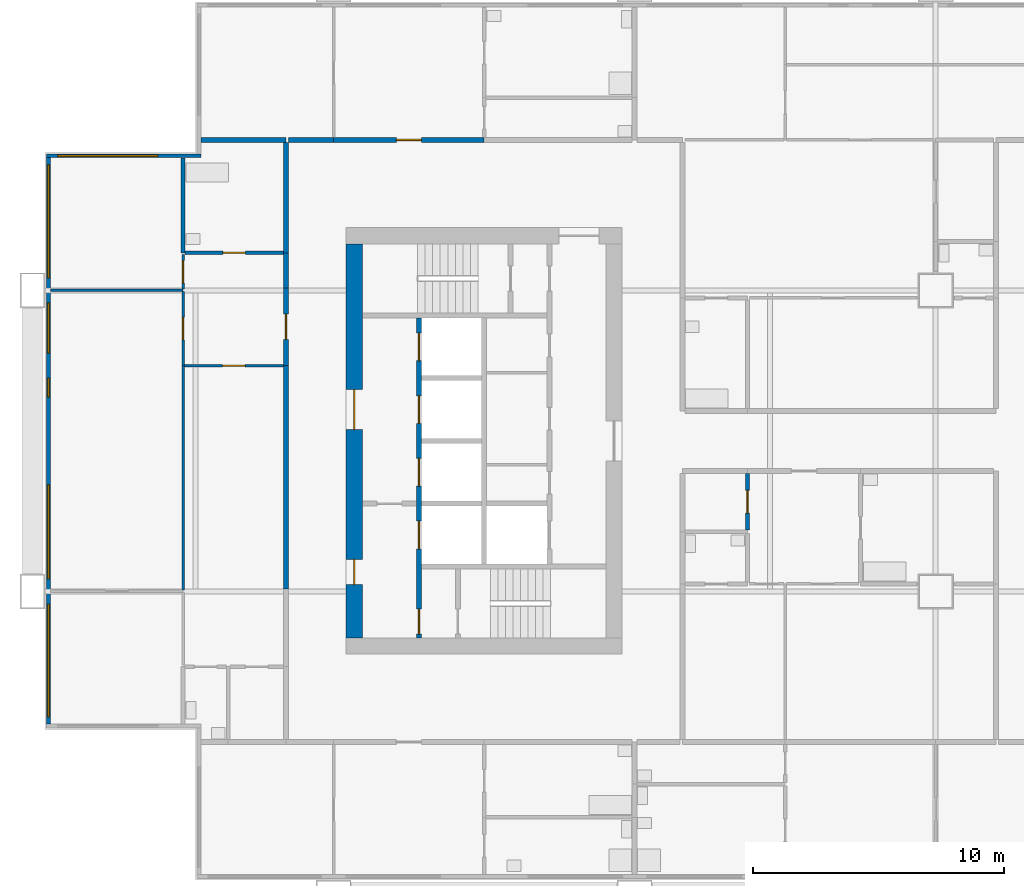
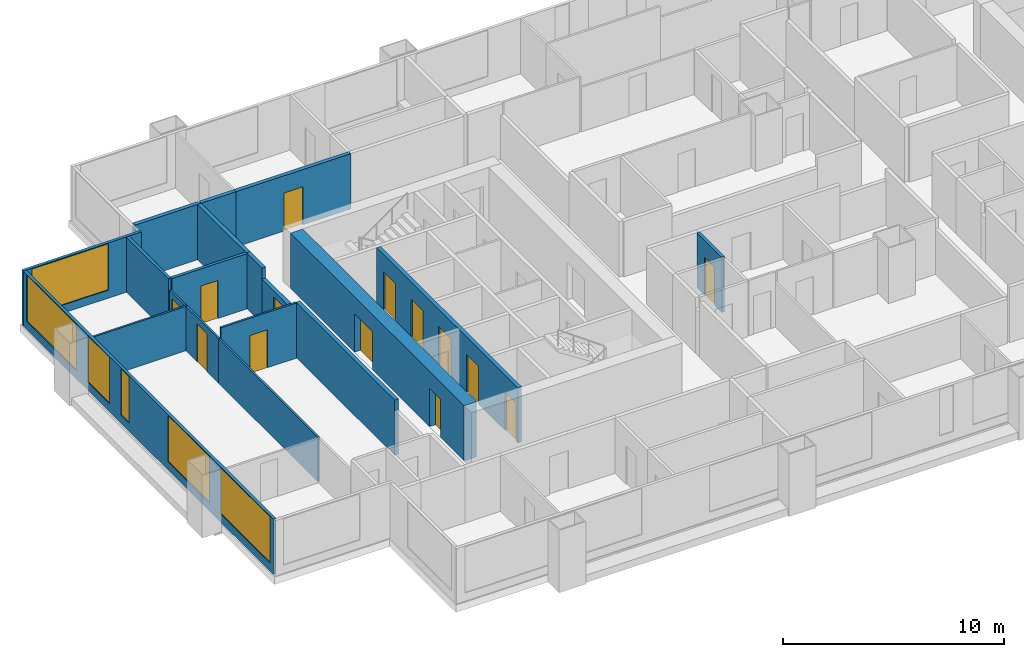
# One storey, part 3 of 11: 19 walls, 14 doors, 6 windows, 20 openings.
"""IFC4 building model written with IfcOpenShell, lengths in metres."""

from ifc_helpers import new_model, si_unit, direction, frame, frame_2d, origin, place, context, subcontext, project, spatial, rectangle, extrude, material, layer, layer_set, type_object, element, fill, save


model = new_model("IFC4")

# Units and contexts
model_context = context("Model", 3, precision=1e-05, world=origin(), true_north=direction((0.0, 1.0)))
body_context = subcontext(model_context, "Body", "Model", "MODEL_VIEW")
ifc_project = project(units=[si_unit("LENGTHUNIT", "METRE"), si_unit("AREAUNIT", "SQUARE_METRE"), si_unit("VOLUMEUNIT", "CUBIC_METRE"), si_unit("PLANEANGLEUNIT", "RADIAN"), si_unit("MASSUNIT", "GRAM", prefix="KILO")], contexts=[model_context])

# Site, building, storey
site_placement = place(None, origin())
site = spatial("IfcSite", under=ifc_project, at=site_placement, CompositionType="ELEMENT")
building_placement = place(site_placement, origin())
building = spatial("IfcBuilding", under=site, at=building_placement, Name="Kitamizu Gate Tower and Museum", CompositionType="ELEMENT")
storey_placement = place(building_placement, frame((0.0, 0.0, 141.449951171875)))
storey = spatial("IfcBuildingStorey", under=building, at=storey_placement, Name="L37", CompositionType="ELEMENT", Elevation=141.449951171875)

# Wall, openings, doors
ifc_material_1 = material(Name="Concrete Fc60", Category="concrete")
ifc_layer_1 = layer(ifc_material_1, 0.64990234375)
ifc_layer_set_1 = layer_set([ifc_layer_1], Name="Concrete Fc60")
wall_type_1 = type_object("IfcWallType", Name="Core wall 650", PredefinedType="SHEAR", material=ifc_layer_set_1)
wall_1_placement = place(storey_placement, frame((12.824951171875, 22.14990234375, 0.0), z_axis=(0.0, 0.0, 1.0), x_axis=(0.0, 1.0, 0.0)))
wall_1 = element("IfcWall", 1, at=wall_1_placement, inside=storey, type_object=wall_type_1, Name="Core wall WOUT", PredefinedType="SHEAR", context=body_context, shape_type="SweptSolid", body=[
    extrude(rectangle(XDim=15.7001953125, YDim=0.64990234375, at=frame_2d((7.85009765625, 0.0))), origin(), (0.0, 0.0, 1.0), 3.050048828125),
])
opening_1_placement = place(wall_1_placement, frame((8.300048828125, 0.0, 0.0)))
opening_1 = element("IfcOpeningElement", 2, at=opening_1_placement, cuts=wall_1, Name="Opening L37-060", PredefinedType="OPENING", context=body_context, shape_type="SweptSolid", body=[
    extrude(rectangle(XDim=1.60009765625, YDim=2.10009765625, at=frame_2d((0.800048828125, 1.050048828125))), frame((0.0, 0.3349609375, 0.0), z_axis=(0.0, -1.0, 0.0), x_axis=(1.0, 0.0, 0.0)), (0.0, 0.0, 1.0), 0.669921875),
])
opening_2_placement = place(wall_1_placement, frame((2.125, 0.0, 0.0)))
opening_2 = element("IfcOpeningElement", 3, at=opening_2_placement, cuts=wall_1, Name="Opening L37-061", PredefinedType="OPENING", context=body_context, shape_type="SweptSolid", body=[
    extrude(rectangle(XDim=1.0, YDim=2.10009765625, at=frame_2d((0.5, 1.050048828125))), frame((0.0, 0.3349609375, 0.0), z_axis=(0.0, -1.0, 0.0), x_axis=(1.0, 0.0, 0.0)), (0.0, 0.0, 1.0), 0.669921875),
])
ifc_material_2 = material(Name="Timber door set", Category="wood")
door_type_1 = type_object("IfcDoorType", Name="Entrance door 1600", OperationType="DOUBLE_DOOR_SINGLE_SWING", PredefinedType="DOOR", material=ifc_material_2)
door_1_placement = place(opening_1_placement, origin())
door_1 = element("IfcDoor", 4, at=door_1_placement, inside=storey, type_object=door_type_1, Name="Lobby door L37-060", OperationType="DOUBLE_DOOR_SINGLE_SWING", OverallHeight=2.10009765625, OverallWidth=1.60009765625, PredefinedType="DOOR", context=body_context, shape_type="SweptSolid", body=[
    extrude(rectangle(XDim=1.60009765625, YDim=2.10009765625, at=frame_2d((0.800048828125, 1.050048828125))), frame((0.0, 0.02490234375, 0.0), z_axis=(0.0, -1.0, 0.0), x_axis=(1.0, 0.0, 0.0)), (0.0, 0.0, 1.0), 0.050048828125),
])
fill(opening_1, door_1)
ifc_material_3 = material(Name="Hollow metal door set")
door_type_2 = type_object("IfcDoorType", Name="Fire door 1000", OperationType="NOTDEFINED", PredefinedType="DOOR", material=ifc_material_3)
door_2_placement = place(opening_2_placement, frame((1.0, 0.0, 0.0), x_axis=(-1.0, 0.0, 0.0)))
door_2 = element("IfcDoor", 5, at=door_2_placement, inside=storey, type_object=door_type_2, Name="Fire-fighting lobby door L37-061", OperationType="SINGLE_SWING_RIGHT", OverallHeight=2.10009765625, OverallWidth=1.0, PredefinedType="DOOR", context=body_context, shape_type="SweptSolid", body=[
    extrude(rectangle(XDim=1.0, YDim=2.10009765625, at=frame_2d((0.5, 1.050048828125))), frame((0.0, 0.02490234375, 0.0), z_axis=(0.0, -1.0, 0.0), x_axis=(1.0, 0.0, 0.0)), (0.0, 0.0, 1.0), 0.050048828125),
])
fill(opening_2, door_2)

# Walls
ifc_material_4 = material(Name="Gypsum board on galvanised stud")
ifc_layer_2 = layer(ifc_material_4, 0.10009765625)
ifc_layer_set_2 = layer_set([ifc_layer_2], Name="Gypsum board on galvanised stud")
wall_type_2 = type_object("IfcWallType", Name="Partition 100 NOT RATED", PredefinedType="PARTITIONING", material=ifc_layer_set_2)
wall_2_placement = place(storey_placement, frame((6.0, 36.0, 0.0), z_axis=(0.0, 0.0, 1.0), x_axis=(-1.0, 0.0, 0.0)))
element("IfcWall", 6, at=wall_2_placement, inside=storey, type_object=wall_type_2, Name="Partition L37-016", PredefinedType="PARTITIONING", context=body_context, shape_type="SweptSolid", body=[
    extrude(rectangle(XDim=5.280029296875, YDim=0.10009765625, at=frame_2d((2.64013671875, 0.0))), origin(), (0.0, 0.0, 1.0), 2.449951171875),
])
wall_3_placement = place(storey_placement, frame((6.0, 24.050048828125, 0.0), z_axis=(0.0, 0.0, 1.0), x_axis=(0.0, 1.0, 0.0)))
element("IfcWall", 7, at=wall_3_placement, inside=storey, type_object=wall_type_2, Name="Partition L37-017", PredefinedType="PARTITIONING", context=body_context, shape_type="SweptSolid", body=[
    extrude(rectangle(XDim=8.949951171875, YDim=0.10009765625, at=frame_2d((4.47509765625, 0.0))), origin(), (0.0, 0.0, 1.0), 2.449951171875),
])

# Wall, opening, door
wall_4_placement = place(storey_placement, frame((6.0, 33.0, 0.0), z_axis=(0.0, 0.0, 1.0), x_axis=(0.0, 1.0, 0.0)))
wall_4 = element("IfcWall", 8, at=wall_4_placement, inside=storey, type_object=wall_type_2, Name="Partition L37-018", PredefinedType="PARTITIONING", context=body_context, shape_type="SweptSolid", body=[
    extrude(rectangle(XDim=2.949951171875, YDim=0.10009765625, at=frame_2d((1.47509765625, 0.0))), origin(), (0.0, 0.0, 1.0), 2.449951171875),
])
opening_3_placement = place(wall_4_placement, frame((1.02490234375, 0.0, 0.0)))
opening_3 = element("IfcOpeningElement", 9, at=opening_3_placement, cuts=wall_4, Name="Opening L37-006", PredefinedType="OPENING", context=body_context, shape_type="SweptSolid", body=[
    extrude(rectangle(XDim=0.89990234375, YDim=2.10009765625, at=frame_2d((0.449951171875, 1.050048828125))), frame((0.0, 0.06005859375, 0.0), z_axis=(0.0, -1.0, 0.0), x_axis=(1.0, 0.0, 0.0)), (0.0, 0.0, 1.0), 0.1201171875),
])
ifc_material_5 = material(Name="Timber door set", Category="wood")
door_type_3 = type_object("IfcDoorType", Name="Room door 900", OperationType="NOTDEFINED", PredefinedType="DOOR", material=ifc_material_5)
door_3_placement = place(opening_3_placement, origin())
door_3 = element("IfcDoor", 10, at=door_3_placement, inside=storey, type_object=door_type_3, Name="Door L37-006", OperationType="SINGLE_SWING_LEFT", OverallHeight=2.10009765625, OverallWidth=0.89990234375, PredefinedType="DOOR", context=body_context, shape_type="SweptSolid", body=[
    extrude(rectangle(XDim=0.89990234375, YDim=2.10009765625, at=frame_2d((0.449951171875, 1.050048828125))), frame((0.0, 0.02490234375, 0.0), z_axis=(0.0, -1.0, 0.0), x_axis=(1.0, 0.0, 0.0)), (0.0, 0.0, 1.0), 0.050048828125),
])
fill(opening_3, door_3)

wall_5_placement = place(storey_placement, frame((6.0, 36.050048828125, 0.0), z_axis=(0.0, 0.0, 1.0), x_axis=(0.0, 1.0, 0.0)))
wall_5 = element("IfcWall", 11, at=wall_5_placement, inside=storey, type_object=wall_type_2, Name="Partition L37-019", PredefinedType="PARTITIONING", context=body_context, shape_type="SweptSolid", body=[
    extrude(rectangle(XDim=1.375, YDim=0.10009765625, at=frame_2d((0.6875, 0.0))), origin(), (0.0, 0.0, 1.0), 2.449951171875),
])
opening_4_placement = place(wall_5_placement, frame((0.237548828125, 0.0, 0.0)))
opening_4 = element("IfcOpeningElement", 12, at=opening_4_placement, cuts=wall_5, Name="Opening L37-007", PredefinedType="OPENING", context=body_context, shape_type="SweptSolid", body=[
    extrude(rectangle(XDim=0.89990234375, YDim=2.10009765625, at=frame_2d((0.449951171875, 1.050048828125))), frame((0.0, 0.06005859375, 0.0), z_axis=(0.0, -1.0, 0.0), x_axis=(1.0, 0.0, 0.0)), (0.0, 0.0, 1.0), 0.1201171875),
])
door_4_placement = place(opening_4_placement, origin())
door_4 = element("IfcDoor", 13, at=door_4_placement, inside=storey, type_object=door_type_3, Name="Door L37-007", OperationType="SINGLE_SWING_RIGHT", OverallHeight=2.10009765625, OverallWidth=0.89990234375, PredefinedType="DOOR", context=body_context, shape_type="SweptSolid", body=[
    extrude(rectangle(XDim=0.89990234375, YDim=2.10009765625, at=frame_2d((0.449951171875, 1.050048828125))), frame((0.0, 0.02490234375, 0.0), z_axis=(0.0, -1.0, 0.0), x_axis=(1.0, 0.0, 0.0)), (0.0, 0.0, 1.0), 0.050048828125),
])
fill(opening_4, door_4)

wall_6_placement = place(storey_placement, frame((10.0, 33.0, 0.0), z_axis=(0.0, 0.0, 1.0), x_axis=(-1.0, 0.0, 0.0)))
wall_6 = element("IfcWall", 14, at=wall_6_placement, inside=storey, type_object=wall_type_2, Name="Partition L37-025", PredefinedType="PARTITIONING", context=body_context, shape_type="SweptSolid", body=[
    extrude(rectangle(XDim=3.949951171875, YDim=0.10009765625, at=frame_2d((1.97509765625, 0.0))), origin(), (0.0, 0.0, 1.0), 3.050048828125),
])
opening_5_placement = place(wall_6_placement, frame((1.52490234375, 0.0, 0.0)))
opening_5 = element("IfcOpeningElement", 15, at=opening_5_placement, cuts=wall_6, Name="Opening L37-008", PredefinedType="OPENING", context=body_context, shape_type="SweptSolid", body=[
    extrude(rectangle(XDim=0.89990234375, YDim=2.10009765625, at=frame_2d((0.449951171875, 1.050048828125))), frame((0.0, 0.06005859375, 0.0), z_axis=(0.0, -1.0, 0.0), x_axis=(1.0, 0.0, 0.0)), (0.0, 0.0, 1.0), 0.1201171875),
])
door_5_placement = place(opening_5_placement, frame((0.89990234375, 0.0, 0.0), x_axis=(-1.0, 0.0, 0.0)))
door_5 = element("IfcDoor", 16, at=door_5_placement, inside=storey, type_object=door_type_3, Name="Door L37-008", OperationType="SINGLE_SWING_LEFT", OverallHeight=2.10009765625, OverallWidth=0.89990234375, PredefinedType="DOOR", context=body_context, shape_type="SweptSolid", body=[
    extrude(rectangle(XDim=0.89990234375, YDim=2.10009765625, at=frame_2d((0.449951171875, 1.050048828125))), frame((0.0, 0.02490234375, 0.0), z_axis=(0.0, -1.0, 0.0), x_axis=(1.0, 0.0, 0.0)), (0.0, 0.0, 1.0), 0.050048828125),
])
fill(opening_5, door_5)

# Wall
ifc_material_6 = material(Name="Gypsum board on galvanised stud")
ifc_layer_3 = layer(ifc_material_6, 0.14990234375)
ifc_layer_set_3 = layer_set([ifc_layer_3], Name="Gypsum board on galvanised stud")
wall_type_3 = type_object("IfcWallType", Name="Partition 150", PredefinedType="PARTITIONING", material=ifc_layer_set_3)
wall_7_placement = place(storey_placement, frame((6.0, 37.5, 0.0), z_axis=(0.0, 0.0, 1.0), x_axis=(0.0, 1.0, 0.0)))
element("IfcWall", 17, at=wall_7_placement, inside=storey, type_object=wall_type_3, Name="Partition L37-020", PredefinedType="PARTITIONING", context=body_context, shape_type="SweptSolid", body=[
    extrude(rectangle(XDim=3.780029296875, YDim=0.14990234375, at=frame_2d((1.89013671875, 0.0))), origin(), (0.0, 0.0, 1.0), 3.050048828125),
])

# Wall, opening, door
wall_8_placement = place(storey_placement, frame((10.0, 37.5, 0.0), z_axis=(0.0, 0.0, 1.0), x_axis=(-1.0, 0.0, 0.0)))
wall_8 = element("IfcWall", 18, at=wall_8_placement, inside=storey, type_object=wall_type_3, Name="Partition L37-028", PredefinedType="PARTITIONING", context=body_context, shape_type="SweptSolid", body=[
    extrude(rectangle(XDim=3.925048828125, YDim=0.14990234375, at=frame_2d((1.96240234375, 0.0))), origin(), (0.0, 0.0, 1.0), 3.050048828125),
])
opening_6_placement = place(wall_8_placement, frame((1.512451171875, 0.0, 0.0)))
opening_6 = element("IfcOpeningElement", 19, at=opening_6_placement, cuts=wall_8, Name="Opening L37-012", PredefinedType="OPENING", context=body_context, shape_type="SweptSolid", body=[
    extrude(rectangle(XDim=0.89990234375, YDim=2.10009765625, at=frame_2d((0.449951171875, 1.050048828125))), frame((0.0, 0.0849609375, 0.0), z_axis=(0.0, -1.0, 0.0), x_axis=(1.0, 0.0, 0.0)), (0.0, 0.0, 1.0), 0.169921875),
])
ifc_material_7 = material(Name="Timber door set", Category="wood")
door_type_4 = type_object("IfcDoorType", Name="Bathroom door 900", OperationType="NOTDEFINED", PredefinedType="DOOR", material=ifc_material_7)
door_6_placement = place(opening_6_placement, frame((0.89990234375, 0.0, 0.0), x_axis=(-1.0, 0.0, 0.0)))
door_6 = element("IfcDoor", 20, at=door_6_placement, inside=storey, type_object=door_type_4, Name="Bathroom door L37-012", OperationType="SINGLE_SWING_LEFT", OverallHeight=2.10009765625, OverallWidth=0.89990234375, PredefinedType="DOOR", context=body_context, shape_type="SweptSolid", body=[
    extrude(rectangle(XDim=0.89990234375, YDim=2.10009765625, at=frame_2d((0.449951171875, 1.050048828125))), frame((0.0, 0.02490234375, 0.0), z_axis=(0.0, -1.0, 0.0), x_axis=(1.0, 0.0, 0.0)), (0.0, 0.0, 1.0), 0.050048828125),
])
fill(opening_6, door_6)

wall_9_placement = place(storey_placement, frame((28.5, 26.451904296875, 0.0), z_axis=(0.0, 0.0, 1.0), x_axis=(0.0, 1.0, 0.0)))
wall_9 = element("IfcWall", 21, at=wall_9_placement, inside=storey, type_object=wall_type_3, Name="Partition L37-048", PredefinedType="PARTITIONING", context=body_context, shape_type="SweptSolid", body=[
    extrude(rectangle(XDim=2.248046875, YDim=0.14990234375, at=frame_2d((1.1240234375, 0.0))), origin(), (0.0, 0.0, 1.0), 3.050048828125),
])
opening_7_placement = place(wall_9_placement, frame((0.674072265625, 0.0, 0.0)))
opening_7 = element("IfcOpeningElement", 22, at=opening_7_placement, cuts=wall_9, Name="Opening L37-017", PredefinedType="OPENING", context=body_context, shape_type="SweptSolid", body=[
    extrude(rectangle(XDim=0.89990234375, YDim=2.10009765625, at=frame_2d((0.449951171875, 1.050048828125))), frame((0.0, 0.0849609375, 0.0), z_axis=(0.0, -1.0, 0.0), x_axis=(1.0, 0.0, 0.0)), (0.0, 0.0, 1.0), 0.169921875),
])
door_7_placement = place(opening_7_placement, origin())
door_7 = element("IfcDoor", 23, at=door_7_placement, inside=storey, type_object=door_type_4, Name="Bathroom door L37-017", OperationType="SINGLE_SWING_LEFT", OverallHeight=2.10009765625, OverallWidth=0.89990234375, PredefinedType="DOOR", context=body_context, shape_type="SweptSolid", body=[
    extrude(rectangle(XDim=0.89990234375, YDim=2.10009765625, at=frame_2d((0.449951171875, 1.050048828125))), frame((0.0, 0.02490234375, 0.0), z_axis=(0.0, -1.0, 0.0), x_axis=(1.0, 0.0, 0.0)), (0.0, 0.0, 1.0), 0.050048828125),
])
fill(opening_7, door_7)

# Wall
ifc_material_8 = material(Name="Gypsum board on galvanised stud")
ifc_layer_4 = layer(ifc_material_8, 0.199951171875)
ifc_layer_set_4 = layer_set([ifc_layer_4], Name="Gypsum board on galvanised stud")
wall_type_4 = type_object("IfcWallType", Name="Partition 200", PredefinedType="PARTITIONING", material=ifc_layer_set_4)
wall_10_placement = place(storey_placement, frame((10.10009765625, 24.10009765625, 0.0), z_axis=(0.0, 0.0, 1.0), x_axis=(0.0, 1.0, 0.0)))
element("IfcWall", 24, at=wall_10_placement, inside=storey, type_object=wall_type_4, Name="Partition L37-027", PredefinedType="PARTITIONING", context=body_context, shape_type="SweptSolid", body=[
    extrude(rectangle(XDim=8.89990234375, YDim=0.199951171875, at=frame_2d((4.449951171875, 0.0))), origin(), (0.0, 0.0, 1.0), 3.050048828125),
])

# Wall, opening, door
wall_11_placement = place(storey_placement, frame((10.10009765625, 33.0, 0.0), z_axis=(0.0, 0.0, 1.0), x_axis=(0.0, 1.0, 0.0)))
wall_11 = element("IfcWall", 25, at=wall_11_placement, inside=storey, type_object=wall_type_4, Name="Partition L37-029", PredefinedType="PARTITIONING", context=body_context, shape_type="SweptSolid", body=[
    extrude(rectangle(XDim=3.10009765625, YDim=0.199951171875, at=frame_2d((1.550048828125, 0.0))), origin(), (0.0, 0.0, 1.0), 2.449951171875),
])
opening_8_placement = place(wall_11_placement, frame((1.050048828125, 0.0, 0.0)))
opening_8 = element("IfcOpeningElement", 26, at=opening_8_placement, cuts=wall_11, Name="Opening L37-005", PredefinedType="OPENING", context=body_context, shape_type="SweptSolid", body=[
    extrude(rectangle(XDim=1.0, YDim=2.10009765625, at=frame_2d((0.5, 1.050048828125))), frame((0.0, 0.10986328125, 0.0), z_axis=(0.0, -1.0, 0.0), x_axis=(1.0, 0.0, 0.0)), (0.0, 0.0, 1.0), 0.219970703125),
])
ifc_material_9 = material(Name="Timber door set", Category="wood")
door_type_5 = type_object("IfcDoorType", Name="Flat entrance door 1000", OperationType="NOTDEFINED", PredefinedType="DOOR", material=ifc_material_9)
door_8_placement = place(opening_8_placement, origin())
door_8 = element("IfcDoor", 27, at=door_8_placement, inside=storey, type_object=door_type_5, Name="Flat entrance door L37-005", OperationType="SINGLE_SWING_RIGHT", OverallHeight=2.10009765625, OverallWidth=1.0, PredefinedType="DOOR", context=body_context, shape_type="SweptSolid", body=[
    extrude(rectangle(XDim=1.0, YDim=2.10009765625, at=frame_2d((0.5, 1.050048828125))), frame((0.0, 0.02490234375, 0.0), z_axis=(0.0, -1.0, 0.0), x_axis=(1.0, 0.0, 0.0)), (0.0, 0.0, 1.0), 0.050048828125),
])
fill(opening_8, door_8)

# Walls
wall_12_placement = place(storey_placement, frame((10.10009765625, 36.10009765625, 0.0), z_axis=(0.0, 0.0, 1.0), x_axis=(0.0, 1.0, 0.0)))
element("IfcWall", 28, at=wall_12_placement, inside=storey, type_object=wall_type_4, Name="Partition L37-030", PredefinedType="PARTITIONING", context=body_context, shape_type="SweptSolid", body=[
    extrude(rectangle(XDim=1.39990234375, YDim=0.199951171875, at=frame_2d((0.699951171875, 0.0))), origin(), (0.0, 0.0, 1.0), 3.050048828125),
])
wall_13_placement = place(storey_placement, frame((10.10009765625, 42.0, 0.0), z_axis=(0.0, 0.0, 1.0), x_axis=(-1.0, 0.0, 0.0)))
element("IfcWall", 29, at=wall_13_placement, inside=storey, type_object=wall_type_4, Name="Partition L37-031", PredefinedType="PARTITIONING", context=body_context, shape_type="SweptSolid", body=[
    extrude(rectangle(XDim=3.380126953125, YDim=0.199951171875, at=frame_2d((1.68994140625, 0.0))), origin(), (0.0, 0.0, 1.0), 3.050048828125),
])
wall_14_placement = place(storey_placement, frame((10.10009765625, 37.5, 0.0), z_axis=(0.0, 0.0, 1.0), x_axis=(0.0, 1.0, 0.0)))
element("IfcWall", 30, at=wall_14_placement, inside=storey, type_object=wall_type_4, Name="Partition L37-032", PredefinedType="PARTITIONING", context=body_context, shape_type="SweptSolid", body=[
    extrude(rectangle(XDim=4.39990234375, YDim=0.199951171875, at=frame_2d((2.199951171875, 0.0))), origin(), (0.0, 0.0, 1.0), 3.050048828125),
])
wall_15_placement = place(storey_placement, frame((10.199951171875, 42.0, 0.0), z_axis=(0.0, 0.0, 1.0), x_axis=(1.0, 0.0, 0.0)))
element("IfcWall", 31, at=wall_15_placement, inside=storey, type_object=wall_type_4, Name="Partition L37-105", PredefinedType="PARTITIONING", context=body_context, shape_type="SweptSolid", body=[
    extrude(rectangle(XDim=1.800048828125, YDim=0.199951171875, at=frame_2d((0.89990234375, 0.0))), origin(), (0.0, 0.0, 1.0), 3.050048828125),
])

# Wall, opening, door
wall_16_placement = place(storey_placement, frame((12.0, 42.0, 0.0), z_axis=(0.0, 0.0, 1.0), x_axis=(1.0, 0.0, 0.0)))
wall_16 = element("IfcWall", 32, at=wall_16_placement, inside=storey, type_object=wall_type_4, Name="Partition L37-108", PredefinedType="PARTITIONING", context=body_context, shape_type="SweptSolid", body=[
    extrude(rectangle(XDim=6.0, YDim=0.199951171875, at=frame_2d((3.0, 0.0))), origin(), (0.0, 0.0, 1.0), 3.050048828125),
])
opening_9_placement = place(wall_16_placement, frame((2.5, 0.0, 0.0)))
opening_9 = element("IfcOpeningElement", 33, at=opening_9_placement, cuts=wall_16, Name="Opening L37-038", PredefinedType="OPENING", context=body_context, shape_type="SweptSolid", body=[
    extrude(rectangle(XDim=1.0, YDim=2.10009765625, at=frame_2d((0.5, 1.050048828125))), frame((0.0, 0.10986328125, 0.0), z_axis=(0.0, -1.0, 0.0), x_axis=(1.0, 0.0, 0.0)), (0.0, 0.0, 1.0), 0.219970703125),
])
door_9_placement = place(opening_9_placement, origin())
door_9 = element("IfcDoor", 34, at=door_9_placement, inside=storey, type_object=door_type_5, Name="Flat entrance door L37-038", OperationType="SINGLE_SWING_LEFT", OverallHeight=2.10009765625, OverallWidth=1.0, PredefinedType="DOOR", context=body_context, shape_type="SweptSolid", body=[
    extrude(rectangle(XDim=1.0, YDim=2.10009765625, at=frame_2d((0.5, 1.050048828125))), frame((0.0, 0.02490234375, 0.0), z_axis=(0.0, -1.0, 0.0), x_axis=(1.0, 0.0, 0.0)), (0.0, 0.0, 1.0), 0.050048828125),
])
fill(opening_9, door_9)

# Wall, openings, doors
ifc_material_10 = material(Name="Concrete Fc42", Category="concrete")
ifc_layer_5 = layer(ifc_material_10, 0.199951171875)
ifc_layer_set_5 = layer_set([ifc_layer_5], Name="Concrete Fc42")
wall_type_5 = type_object("IfcWallType", Name="Shaft wall 200", PredefinedType="SOLIDWALL", material=ifc_layer_set_5)
wall_17_placement = place(storey_placement, frame((15.39990234375, 22.14990234375, 0.0), z_axis=(0.0, 0.0, 1.0), x_axis=(0.0, 1.0, 0.0)))
wall_17 = element("IfcWall", 35, at=wall_17_placement, inside=storey, type_object=wall_type_5, Name="Shaft wall WWEST", PredefinedType="SOLIDWALL", context=body_context, shape_type="SweptSolid", body=[
    extrude(rectangle(XDim=12.75, YDim=0.199951171875, at=frame_2d((6.375, 0.0))), origin(), (0.0, 0.0, 1.0), 3.050048828125),
])
opening_10_placement = place(wall_17_placement, frame((3.550048828125, 0.0, 0.0)))
opening_10 = element("IfcOpeningElement", 36, at=opening_10_placement, cuts=wall_17, Name="Opening LD", PredefinedType="OPENING", context=body_context, shape_type="SweptSolid", body=[
    extrude(rectangle(XDim=1.10009765625, YDim=2.10009765625, at=frame_2d((0.550048828125, 1.050048828125))), frame((0.0, 0.10986328125, 0.0), z_axis=(0.0, -1.0, 0.0), x_axis=(1.0, 0.0, 0.0)), (0.0, 0.0, 1.0), 0.219970703125),
])
opening_11_placement = place(wall_17_placement, frame((6.050048828125, 0.0, 0.0)))
opening_11 = element("IfcOpeningElement", 37, at=opening_11_placement, cuts=wall_17, Name="Opening LD", PredefinedType="OPENING", context=body_context, shape_type="SweptSolid", body=[
    extrude(rectangle(XDim=1.10009765625, YDim=2.10009765625, at=frame_2d((0.550048828125, 1.050048828125))), frame((0.0, 0.10986328125, 0.0), z_axis=(0.0, -1.0, 0.0), x_axis=(1.0, 0.0, 0.0)), (0.0, 0.0, 1.0), 0.219970703125),
])
opening_12_placement = place(wall_17_placement, frame((8.550048828125, 0.0, 0.0)))
opening_12 = element("IfcOpeningElement", 38, at=opening_12_placement, cuts=wall_17, Name="Opening LD", PredefinedType="OPENING", context=body_context, shape_type="SweptSolid", body=[
    extrude(rectangle(XDim=1.10009765625, YDim=2.10009765625, at=frame_2d((0.550048828125, 1.050048828125))), frame((0.0, 0.10986328125, 0.0), z_axis=(0.0, -1.0, 0.0), x_axis=(1.0, 0.0, 0.0)), (0.0, 0.0, 1.0), 0.219970703125),
])
opening_13_placement = place(wall_17_placement, frame((11.050048828125, 0.0, 0.0)))
opening_13 = element("IfcOpeningElement", 39, at=opening_13_placement, cuts=wall_17, Name="Opening LD", PredefinedType="OPENING", context=body_context, shape_type="SweptSolid", body=[
    extrude(rectangle(XDim=1.10009765625, YDim=2.10009765625, at=frame_2d((0.550048828125, 1.050048828125))), frame((0.0, 0.10986328125, 0.0), z_axis=(0.0, -1.0, 0.0), x_axis=(1.0, 0.0, 0.0)), (0.0, 0.0, 1.0), 0.219970703125),
])
opening_14_placement = place(wall_17_placement, frame((0.14990234375, 0.0, 0.0)))
opening_14 = element("IfcOpeningElement", 40, at=opening_14_placement, cuts=wall_17, Name="Opening L37-056", PredefinedType="OPENING", context=body_context, shape_type="SweptSolid", body=[
    extrude(rectangle(XDim=1.0, YDim=2.10009765625, at=frame_2d((0.5, 1.050048828125))), frame((0.0, 0.10986328125, 0.0), z_axis=(0.0, -1.0, 0.0), x_axis=(1.0, 0.0, 0.0)), (0.0, 0.0, 1.0), 0.219970703125),
])
door_10_placement = place(opening_14_placement, frame((1.0, 0.0, 0.0), x_axis=(-1.0, 0.0, 0.0)))
door_10 = element("IfcDoor", 41, at=door_10_placement, inside=storey, type_object=door_type_2, Name="Stair lobby door L37-056", OperationType="SINGLE_SWING_LEFT", OverallHeight=2.10009765625, OverallWidth=1.0, PredefinedType="DOOR", context=body_context, shape_type="SweptSolid", body=[
    extrude(rectangle(XDim=1.0, YDim=2.10009765625, at=frame_2d((0.5, 1.050048828125))), frame((0.0, 0.02490234375, 0.0), z_axis=(0.0, -1.0, 0.0), x_axis=(1.0, 0.0, 0.0)), (0.0, 0.0, 1.0), 0.050048828125),
])
fill(opening_14, door_10)
ifc_material_11 = material(Name="Hollow metal door set")
door_type_6 = type_object("IfcDoorType", Name="Landing door 1100", OperationType="SLIDING_TO_LEFT", PredefinedType="DOOR", material=ifc_material_11)
door_11_placement = place(opening_10_placement, origin())
door_11 = element("IfcDoor", 42, at=door_11_placement, inside=storey, type_object=door_type_6, Name="Landing door WFF1", OperationType="SLIDING_TO_LEFT", OverallHeight=2.10009765625, OverallWidth=1.10009765625, PredefinedType="DOOR", context=body_context, shape_type="SweptSolid", body=[
    extrude(rectangle(XDim=1.10009765625, YDim=2.10009765625, at=frame_2d((0.550048828125, 1.050048828125))), frame((0.0, 0.02490234375, 0.0), z_axis=(0.0, -1.0, 0.0), x_axis=(1.0, 0.0, 0.0)), (0.0, 0.0, 1.0), 0.050048828125),
])
fill(opening_10, door_11)
door_12_placement = place(opening_11_placement, origin())
door_12 = element("IfcDoor", 43, at=door_12_placement, inside=storey, type_object=door_type_6, Name="Landing door WL1", OperationType="SLIDING_TO_LEFT", OverallHeight=2.10009765625, OverallWidth=1.10009765625, PredefinedType="DOOR", context=body_context, shape_type="SweptSolid", body=[
    extrude(rectangle(XDim=1.10009765625, YDim=2.10009765625, at=frame_2d((0.550048828125, 1.050048828125))), frame((0.0, 0.02490234375, 0.0), z_axis=(0.0, -1.0, 0.0), x_axis=(1.0, 0.0, 0.0)), (0.0, 0.0, 1.0), 0.050048828125),
])
fill(opening_11, door_12)
door_13_placement = place(opening_12_placement, origin())
door_13 = element("IfcDoor", 44, at=door_13_placement, inside=storey, type_object=door_type_6, Name="Landing door WL2", OperationType="SLIDING_TO_LEFT", OverallHeight=2.10009765625, OverallWidth=1.10009765625, PredefinedType="DOOR", context=body_context, shape_type="SweptSolid", body=[
    extrude(rectangle(XDim=1.10009765625, YDim=2.10009765625, at=frame_2d((0.550048828125, 1.050048828125))), frame((0.0, 0.02490234375, 0.0), z_axis=(0.0, -1.0, 0.0), x_axis=(1.0, 0.0, 0.0)), (0.0, 0.0, 1.0), 0.050048828125),
])
fill(opening_12, door_13)
door_14_placement = place(opening_13_placement, origin())
door_14 = element("IfcDoor", 45, at=door_14_placement, inside=storey, type_object=door_type_6, Name="Landing door WL3", OperationType="SLIDING_TO_LEFT", OverallHeight=2.10009765625, OverallWidth=1.10009765625, PredefinedType="DOOR", context=body_context, shape_type="SweptSolid", body=[
    extrude(rectangle(XDim=1.10009765625, YDim=2.10009765625, at=frame_2d((0.550048828125, 1.050048828125))), frame((0.0, 0.02490234375, 0.0), z_axis=(0.0, -1.0, 0.0), x_axis=(1.0, 0.0, 0.0)), (0.0, 0.0, 1.0), 0.050048828125),
])
fill(opening_13, door_14)

# Wall, opening, window
ifc_material_12 = material(Name="Bronze anodised aluminium frame with insulated spandrel and tinted glass", Category="aluminium")
ifc_layer_6 = layer(ifc_material_12, 0.14990234375)
ifc_layer_set_6 = layer_set([ifc_layer_6], Name="Bronze anodised aluminium frame with insulated spandrel and tinted glass")
wall_type_6 = type_object("IfcWallType", Name="WINDOW WALL 150 BRONZE FRAME EI 30", PredefinedType="ELEMENTEDWALL", material=ifc_layer_set_6)
wall_18_placement = place(storey_placement, frame((0.56005859375, 41.364990234375, 0.0), z_axis=(0.0, 0.0, 1.0), x_axis=(1.0, 0.0, 0.0)))
wall_18 = element("IfcWall", 46, at=wall_18_placement, inside=storey, type_object=wall_type_6, Name="Window wall north L37", PredefinedType="ELEMENTEDWALL", context=body_context, shape_type="SweptSolid", body=[
    extrude(rectangle(XDim=6.14990234375, YDim=0.14990234375, at=frame_2d((3.074951171875, 0.0))), origin(), (0.0, 0.0, 1.0), 3.050048828125),
])
opening_15_placement = place(wall_18_placement, frame((0.43994140625, 0.0, 0.449951171875)))
opening_15 = element("IfcOpeningElement", 47, at=opening_15_placement, cuts=wall_18, Name="Opening W16", PredefinedType="OPENING", context=body_context, shape_type="SweptSolid", body=[
    extrude(rectangle(XDim=4.0, YDim=2.550048828125, at=frame_2d((2.0, 1.27490234375))), frame((0.0, 0.0849609375, 0.0), z_axis=(0.0, -1.0, 0.0), x_axis=(1.0, 0.0, 0.0)), (0.0, 0.0, 1.0), 0.169921875),
])
ifc_material_13 = material(Name="Bronze anodised aluminium frame, tinted triple glazing", Category="aluminium")
window_type_1 = type_object("IfcWindowType", Name="WINDOW 4000 x 2550 SILL 450", PartitioningType="SINGLE_PANEL", PredefinedType="WINDOW", material=ifc_material_13)
window_1_placement = place(opening_15_placement, origin())
window_1 = element("IfcWindow", 48, at=window_1_placement, inside=storey, type_object=window_type_1, Name="Window W16 L37", OverallHeight=2.550048828125, OverallWidth=4.0, PartitioningType="SINGLE_PANEL", PredefinedType="WINDOW", context=body_context, shape_type="SweptSolid", body=[
    extrude(rectangle(XDim=4.0, YDim=2.550048828125, at=frame_2d((2.0, 1.27490234375))), frame((0.0, 0.030029296875, 0.0), z_axis=(0.0, -1.0, 0.0), x_axis=(1.0, 0.0, 0.0)), (0.0, 0.0, 1.0), 0.06005859375),
])
fill(opening_15, window_1)

# Wall, openings, windows
wall_19_placement = place(storey_placement, frame((0.635009765625, 18.7099609375, 0.0), z_axis=(0.0, 0.0, 1.0), x_axis=(0.0, 1.0, 0.0)))
wall_19 = element("IfcWall", 49, at=wall_19_placement, inside=storey, type_object=wall_type_6, Name="Window wall west L37", PredefinedType="ELEMENTEDWALL", context=body_context, shape_type="SweptSolid", body=[
    extrude(rectangle(XDim=22.580078125, YDim=0.14990234375, at=frame_2d((11.2900390625, 0.0))), origin(), (0.0, 0.0, 1.0), 3.050048828125),
])
opening_16_placement = place(wall_19_placement, frame((0.2900390625, 0.0, 0.449951171875)))
opening_16 = element("IfcOpeningElement", 50, at=opening_16_placement, cuts=wall_19, Name="Opening W15", PredefinedType="OPENING", context=body_context, shape_type="SweptSolid", body=[
    extrude(rectangle(XDim=4.5, YDim=2.550048828125, at=frame_2d((2.25, 1.27490234375))), frame((0.0, 0.0849609375, 0.0), z_axis=(0.0, -1.0, 0.0), x_axis=(1.0, 0.0, 0.0)), (0.0, 0.0, 1.0), 0.169921875),
])
opening_17_placement = place(wall_19_placement, frame((5.7900390625, 0.0, 0.449951171875)))
opening_17 = element("IfcOpeningElement", 51, at=opening_17_placement, cuts=wall_19, Name="Opening W36", PredefinedType="OPENING", context=body_context, shape_type="SweptSolid", body=[
    extrude(rectangle(XDim=3.75, YDim=2.550048828125, at=frame_2d((1.875, 1.27490234375))), frame((0.0, 0.0849609375, 0.0), z_axis=(0.0, -1.0, 0.0), x_axis=(1.0, 0.0, 0.0)), (0.0, 0.0, 1.0), 0.169921875),
])
opening_18_placement = place(wall_19_placement, frame((13.0400390625, 0.0, 0.449951171875)))
opening_18 = element("IfcOpeningElement", 52, at=opening_18_placement, cuts=wall_19, Name="Opening W25", PredefinedType="OPENING", context=body_context, shape_type="SweptSolid", body=[
    extrude(rectangle(XDim=0.75, YDim=2.550048828125, at=frame_2d((0.375, 1.27490234375))), frame((0.0, 0.0849609375, 0.0), z_axis=(0.0, -1.0, 0.0), x_axis=(1.0, 0.0, 0.0)), (0.0, 0.0, 1.0), 0.169921875),
])
opening_19_placement = place(wall_19_placement, frame((14.7900390625, 0.0, 0.449951171875)))
opening_19 = element("IfcOpeningElement", 53, at=opening_19_placement, cuts=wall_19, Name="Opening W2", PredefinedType="OPENING", context=body_context, shape_type="SweptSolid", body=[
    extrude(rectangle(XDim=2.0, YDim=2.550048828125, at=frame_2d((1.0, 1.27490234375))), frame((0.0, 0.0849609375, 0.0), z_axis=(0.0, -1.0, 0.0), x_axis=(1.0, 0.0, 0.0)), (0.0, 0.0, 1.0), 0.169921875),
])
opening_20_placement = place(wall_19_placement, frame((17.7900390625, 0.0, 0.449951171875)))
opening_20 = element("IfcOpeningElement", 54, at=opening_20_placement, cuts=wall_19, Name="Opening W15", PredefinedType="OPENING", context=body_context, shape_type="SweptSolid", body=[
    extrude(rectangle(XDim=4.5, YDim=2.550048828125, at=frame_2d((2.25, 1.27490234375))), frame((0.0, 0.0849609375, 0.0), z_axis=(0.0, -1.0, 0.0), x_axis=(1.0, 0.0, 0.0)), (0.0, 0.0, 1.0), 0.169921875),
])
ifc_material_14 = material(Name="Bronze anodised aluminium frame, tinted triple glazing", Category="aluminium")
window_type_2 = type_object("IfcWindowType", Name="WINDOW 2000 x 2550 SILL 450", PartitioningType="SINGLE_PANEL", PredefinedType="WINDOW", material=ifc_material_14)
window_2_placement = place(opening_19_placement, origin())
window_2 = element("IfcWindow", 55, at=window_2_placement, inside=storey, type_object=window_type_2, Name="Window W2 L37", OverallHeight=2.550048828125, OverallWidth=2.0, PartitioningType="SINGLE_PANEL", PredefinedType="WINDOW", context=body_context, shape_type="SweptSolid", body=[
    extrude(rectangle(XDim=2.0, YDim=2.550048828125, at=frame_2d((1.0, 1.27490234375))), frame((0.0, 0.030029296875, 0.0), z_axis=(0.0, -1.0, 0.0), x_axis=(1.0, 0.0, 0.0)), (0.0, 0.0, 1.0), 0.06005859375),
])
fill(opening_19, window_2)
ifc_material_15 = material(Name="Bronze anodised aluminium frame, tinted triple glazing", Category="aluminium")
window_type_3 = type_object("IfcWindowType", Name="WINDOW 3750 x 2550 SILL 450", PartitioningType="SINGLE_PANEL", PredefinedType="WINDOW", material=ifc_material_15)
window_3_placement = place(opening_17_placement, origin())
window_3 = element("IfcWindow", 56, at=window_3_placement, inside=storey, type_object=window_type_3, Name="Window W36 L37", OverallHeight=2.550048828125, OverallWidth=3.75, PartitioningType="SINGLE_PANEL", PredefinedType="WINDOW", context=body_context, shape_type="SweptSolid", body=[
    extrude(rectangle(XDim=3.75, YDim=2.550048828125, at=frame_2d((1.875, 1.27490234375))), frame((0.0, 0.030029296875, 0.0), z_axis=(0.0, -1.0, 0.0), x_axis=(1.0, 0.0, 0.0)), (0.0, 0.0, 1.0), 0.06005859375),
])
fill(opening_17, window_3)
ifc_material_16 = material(Name="Bronze anodised aluminium frame, tinted triple glazing", Category="aluminium")
window_type_4 = type_object("IfcWindowType", Name="WINDOW 4500 x 2550 SILL 450", PartitioningType="SINGLE_PANEL", PredefinedType="WINDOW", material=ifc_material_16)
window_4_placement = place(opening_16_placement, origin())
window_4 = element("IfcWindow", 57, at=window_4_placement, inside=storey, type_object=window_type_4, Name="Window W15 L37", OverallHeight=2.550048828125, OverallWidth=4.5, PartitioningType="SINGLE_PANEL", PredefinedType="WINDOW", context=body_context, shape_type="SweptSolid", body=[
    extrude(rectangle(XDim=4.5, YDim=2.550048828125, at=frame_2d((2.25, 1.27490234375))), frame((0.0, 0.030029296875, 0.0), z_axis=(0.0, -1.0, 0.0), x_axis=(1.0, 0.0, 0.0)), (0.0, 0.0, 1.0), 0.06005859375),
])
fill(opening_16, window_4)
window_5_placement = place(opening_20_placement, origin())
window_5 = element("IfcWindow", 58, at=window_5_placement, inside=storey, type_object=window_type_4, Name="Window W15 L37", OverallHeight=2.550048828125, OverallWidth=4.5, PartitioningType="SINGLE_PANEL", PredefinedType="WINDOW", context=body_context, shape_type="SweptSolid", body=[
    extrude(rectangle(XDim=4.5, YDim=2.550048828125, at=frame_2d((2.25, 1.27490234375))), frame((0.0, 0.030029296875, 0.0), z_axis=(0.0, -1.0, 0.0), x_axis=(1.0, 0.0, 0.0)), (0.0, 0.0, 1.0), 0.06005859375),
])
fill(opening_20, window_5)
ifc_material_17 = material(Name="Bronze anodised aluminium frame, tinted triple glazing", Category="aluminium")
window_type_5 = type_object("IfcWindowType", Name="WINDOW 750 x 2550 SILL 450", PartitioningType="SINGLE_PANEL", PredefinedType="WINDOW", material=ifc_material_17)
window_6_placement = place(opening_18_placement, origin())
window_6 = element("IfcWindow", 59, at=window_6_placement, inside=storey, type_object=window_type_5, Name="Window W25 L37", OverallHeight=2.550048828125, OverallWidth=0.75, PartitioningType="SINGLE_PANEL", PredefinedType="WINDOW", context=body_context, shape_type="SweptSolid", body=[
    extrude(rectangle(XDim=0.75, YDim=2.550048828125, at=frame_2d((0.375, 1.27490234375))), frame((0.0, 0.030029296875, 0.0), z_axis=(0.0, -1.0, 0.0), x_axis=(1.0, 0.0, 0.0)), (0.0, 0.0, 1.0), 0.06005859375),
])
fill(opening_18, window_6)

save(model, "model.ifc")
